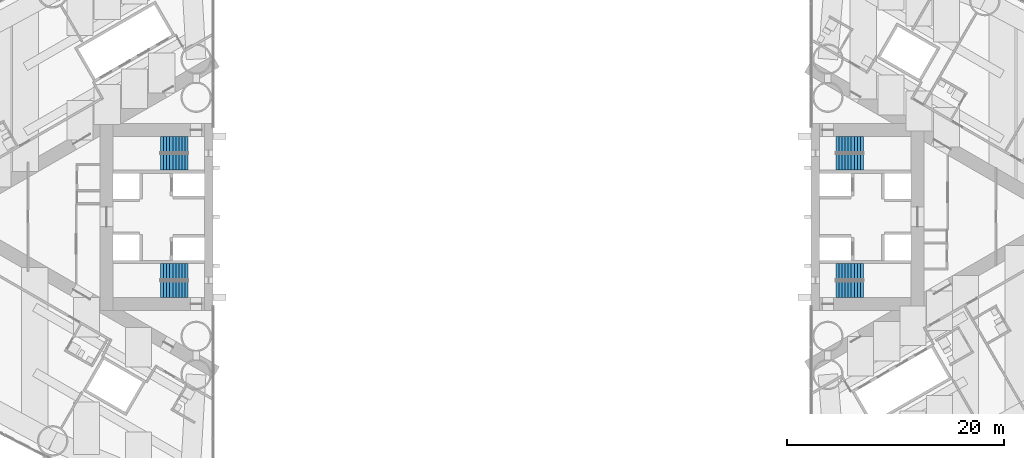
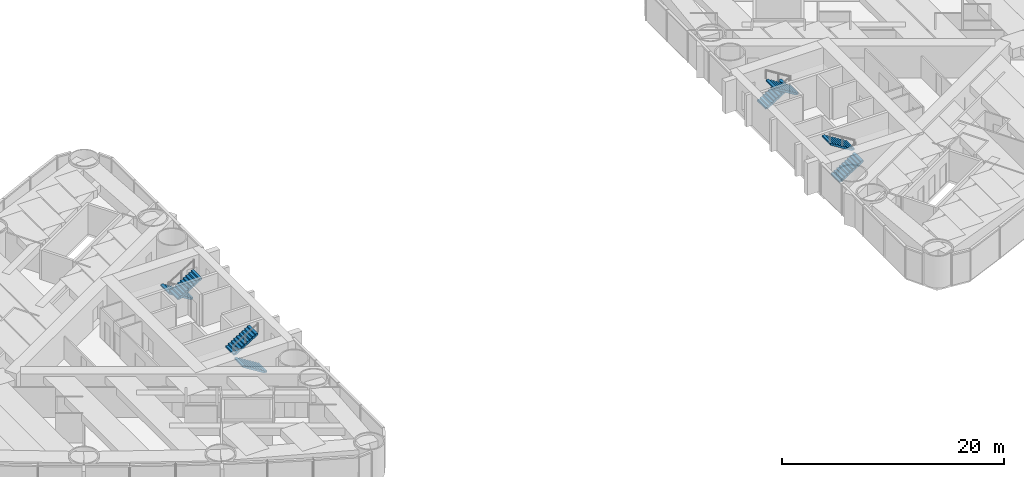
# One storey, part 16 of 18: 8 stair flights, 4 elements without a shape of their own.
"""IFC4 building model written with IfcOpenShell, lengths in metres."""

from ifc_helpers import new_model, si_unit, direction, frame, origin, place, context, subcontext, project, spatial, polyline, outline, extrude, material, type_object, element, aggregate, save


model = new_model("IFC4")

# Units and contexts
model_context = context("Model", 3, precision=1e-05, world=origin(), true_north=direction((0.0, 1.0)))
body_context = subcontext(model_context, "Body", "Model", "MODEL_VIEW")
ifc_project = project(units=[si_unit("LENGTHUNIT", "METRE"), si_unit("AREAUNIT", "SQUARE_METRE"), si_unit("VOLUMEUNIT", "CUBIC_METRE"), si_unit("PLANEANGLEUNIT", "RADIAN"), si_unit("MASSUNIT", "GRAM", prefix="KILO")], contexts=[model_context])

# Site, building, storey
site_placement = place(None, origin())
site = spatial("IfcSite", under=ifc_project, at=site_placement, CompositionType="ELEMENT")
building_placement = place(site_placement, origin())
building = spatial("IfcBuilding", under=site, at=building_placement, Name="Lancet Gate Hotel", CompositionType="ELEMENT")
storey_placement = place(building_placement, frame((0.0, 0.0, 56.5)))
storey = spatial("IfcBuildingStorey", under=building, at=storey_placement, Name="L14", CompositionType="ELEMENT", Elevation=56.5)

# Stair, stair flights
ifc_material_1 = material(Name="Exit stair 20 risers 1500")
stair_type = type_object("IfcStairType", Name="Exit stair 20 risers 1500", PredefinedType="HALF_TURN_STAIR", material=ifc_material_1)
stair_1_placement = place(storey_placement, origin())
stair_1 = element("IfcStair", 1, at=stair_1_placement, inside=storey, type_object=stair_type, Name="T1 stair 1 L14", PredefinedType="HALF_TURN_STAIR")
ifc_material_2 = material(Name="Stair flight 10 risers 175 rise 1500")
stair_flight_type = type_object("IfcStairFlightType", Name="Stair flight 10 risers 175 rise 1500", PredefinedType="STRAIGHT", material=ifc_material_2)
stair_flight_1_placement = place(storey_placement, frame((-29.800048828125, 6.64990234375, 0.0), z_axis=(0.0, 0.0, 1.0), x_axis=(-1.0, 0.0, 0.0)))
stair_flight_1 = element("IfcStairFlight", 2, at=stair_flight_1_placement, type_object=stair_flight_type, Name="ST1 flight 1", NumberOfRisers=10, NumberOfTreads=9, PredefinedType="STRAIGHT", RiserHeight=0.175, TreadLength=0.28, context=body_context, shape_type="SweptSolid", body=[
    extrude(outline(polyline([(0.0, 0.0), (0.0, 0.175048828125), (0.280029296875, 0.175048828125), (0.280029296875, 0.35009765625), (0.56005859375, 0.35009765625), (0.56005859375, 0.52490234375), (0.840087890625, 0.52490234375), (0.840087890625, 0.699951171875), (1.1201171875, 0.699951171875), (1.1201171875, 0.875), (1.39990234375, 0.875), (1.39990234375, 1.050048828125), (1.679931640625, 1.050048828125), (1.679931640625, 1.22509765625), (1.9599609375, 1.22509765625), (1.9599609375, 1.39990234375), (2.239990234375, 1.39990234375), (2.239990234375, 1.574951171875), (2.52001953125, 1.574951171875), (2.52001953125, 1.75), (2.52001953125, 1.398193359375), (0.28271484375, 0.0), (0.0, 0.0)])), frame((0.0, 0.75, 0.0), z_axis=(0.0, -1.0, 0.0), x_axis=(1.0, 0.0, 0.0)), (0.0, 0.0, 1.0), 1.5),
])
stair_flight_2_placement = place(storey_placement, frame((-32.320068359375, 5.050048828125, 1.75), z_axis=(0.0, 0.0, 1.0), x_axis=(1.0, 0.0, 0.0)))
stair_flight_2 = element("IfcStairFlight", 3, at=stair_flight_2_placement, type_object=stair_flight_type, Name="ST1 flight 2", NumberOfRisers=10, NumberOfTreads=9, PredefinedType="STRAIGHT", RiserHeight=0.175, TreadLength=0.28, context=body_context, shape_type="SweptSolid", body=[
    extrude(outline(polyline([(0.0, 0.0), (0.0, 0.175048828125), (0.280029296875, 0.175048828125), (0.280029296875, 0.35009765625), (0.56005859375, 0.35009765625), (0.56005859375, 0.52490234375), (0.840087890625, 0.52490234375), (0.840087890625, 0.699951171875), (1.1201171875, 0.699951171875), (1.1201171875, 0.875), (1.39990234375, 0.875), (1.39990234375, 1.050048828125), (1.679931640625, 1.050048828125), (1.679931640625, 1.22509765625), (1.9599609375, 1.22509765625), (1.9599609375, 1.39990234375), (2.239990234375, 1.39990234375), (2.239990234375, 1.574951171875), (2.52001953125, 1.574951171875), (2.52001953125, 1.75), (2.52001953125, 1.398193359375), (0.28271484375, 0.0), (0.0, 0.0)])), frame((0.0, 0.75, 0.0), z_axis=(0.0, -1.0, 0.0), x_axis=(1.0, 0.0, 0.0)), (0.0, 0.0, 1.0), 1.5),
])
aggregate(stair_1, [stair_flight_1, stair_flight_2])

stair_2_placement = place(storey_placement, origin())
stair_2 = element("IfcStair", 4, at=stair_2_placement, inside=storey, type_object=stair_type, Name="T1 stair 2 L14", PredefinedType="HALF_TURN_STAIR")
stair_flight_3_placement = place(storey_placement, frame((-29.800048828125, -6.64990234375, 0.0), z_axis=(0.0, 0.0, 1.0), x_axis=(-1.0, 0.0, 0.0)))
stair_flight_3 = element("IfcStairFlight", 5, at=stair_flight_3_placement, type_object=stair_flight_type, Name="ST2 flight 1", NumberOfRisers=10, NumberOfTreads=9, PredefinedType="STRAIGHT", RiserHeight=0.175, TreadLength=0.28, context=body_context, shape_type="SweptSolid", body=[
    extrude(outline(polyline([(0.0, 0.0), (0.0, 0.175048828125), (0.280029296875, 0.175048828125), (0.280029296875, 0.35009765625), (0.56005859375, 0.35009765625), (0.56005859375, 0.52490234375), (0.840087890625, 0.52490234375), (0.840087890625, 0.699951171875), (1.1201171875, 0.699951171875), (1.1201171875, 0.875), (1.39990234375, 0.875), (1.39990234375, 1.050048828125), (1.679931640625, 1.050048828125), (1.679931640625, 1.22509765625), (1.9599609375, 1.22509765625), (1.9599609375, 1.39990234375), (2.239990234375, 1.39990234375), (2.239990234375, 1.574951171875), (2.52001953125, 1.574951171875), (2.52001953125, 1.75), (2.52001953125, 1.398193359375), (0.28271484375, 0.0), (0.0, 0.0)])), frame((0.0, 0.75, 0.0), z_axis=(0.0, -1.0, 0.0), x_axis=(1.0, 0.0, 0.0)), (0.0, 0.0, 1.0), 1.5),
])
stair_flight_4_placement = place(storey_placement, frame((-32.320068359375, -5.050048828125, 1.75), z_axis=(0.0, 0.0, 1.0), x_axis=(1.0, 0.0, 0.0)))
stair_flight_4 = element("IfcStairFlight", 6, at=stair_flight_4_placement, type_object=stair_flight_type, Name="ST2 flight 2", NumberOfRisers=10, NumberOfTreads=9, PredefinedType="STRAIGHT", RiserHeight=0.175, TreadLength=0.28, context=body_context, shape_type="SweptSolid", body=[
    extrude(outline(polyline([(0.0, 0.0), (0.0, 0.175048828125), (0.280029296875, 0.175048828125), (0.280029296875, 0.35009765625), (0.56005859375, 0.35009765625), (0.56005859375, 0.52490234375), (0.840087890625, 0.52490234375), (0.840087890625, 0.699951171875), (1.1201171875, 0.699951171875), (1.1201171875, 0.875), (1.39990234375, 0.875), (1.39990234375, 1.050048828125), (1.679931640625, 1.050048828125), (1.679931640625, 1.22509765625), (1.9599609375, 1.22509765625), (1.9599609375, 1.39990234375), (2.239990234375, 1.39990234375), (2.239990234375, 1.574951171875), (2.52001953125, 1.574951171875), (2.52001953125, 1.75), (2.52001953125, 1.398193359375), (0.28271484375, 0.0), (0.0, 0.0)])), frame((0.0, 0.75, 0.0), z_axis=(0.0, -1.0, 0.0), x_axis=(1.0, 0.0, 0.0)), (0.0, 0.0, 1.0), 1.5),
])
aggregate(stair_2, [stair_flight_3, stair_flight_4])

stair_3_placement = place(storey_placement, origin())
stair_3 = element("IfcStair", 7, at=stair_3_placement, inside=storey, type_object=stair_type, Name="T2 stair 1 L14", PredefinedType="HALF_TURN_STAIR")
stair_flight_5_placement = place(storey_placement, frame((29.800048828125, -6.64990234375, 0.0), z_axis=(0.0, 0.0, 1.0), x_axis=(1.0, 0.0, 0.0)))
stair_flight_5 = element("IfcStairFlight", 8, at=stair_flight_5_placement, type_object=stair_flight_type, Name="ST3 flight 1", NumberOfRisers=10, NumberOfTreads=9, PredefinedType="STRAIGHT", RiserHeight=0.175, TreadLength=0.28, context=body_context, shape_type="SweptSolid", body=[
    extrude(outline(polyline([(0.0, 0.0), (0.0, 0.175048828125), (0.280029296875, 0.175048828125), (0.280029296875, 0.35009765625), (0.56005859375, 0.35009765625), (0.56005859375, 0.52490234375), (0.840087890625, 0.52490234375), (0.840087890625, 0.699951171875), (1.1201171875, 0.699951171875), (1.1201171875, 0.875), (1.39990234375, 0.875), (1.39990234375, 1.050048828125), (1.679931640625, 1.050048828125), (1.679931640625, 1.22509765625), (1.9599609375, 1.22509765625), (1.9599609375, 1.39990234375), (2.239990234375, 1.39990234375), (2.239990234375, 1.574951171875), (2.52001953125, 1.574951171875), (2.52001953125, 1.75), (2.52001953125, 1.398193359375), (0.28271484375, 0.0), (0.0, 0.0)])), frame((0.0, 0.75, 0.0), z_axis=(0.0, -1.0, 0.0), x_axis=(1.0, 0.0, 0.0)), (0.0, 0.0, 1.0), 1.5),
])
stair_flight_6_placement = place(storey_placement, frame((32.320068359375, -5.050048828125, 1.75), z_axis=(0.0, 0.0, 1.0), x_axis=(-1.0, 0.0, 0.0)))
stair_flight_6 = element("IfcStairFlight", 9, at=stair_flight_6_placement, type_object=stair_flight_type, Name="ST3 flight 2", NumberOfRisers=10, NumberOfTreads=9, PredefinedType="STRAIGHT", RiserHeight=0.175, TreadLength=0.28, context=body_context, shape_type="SweptSolid", body=[
    extrude(outline(polyline([(0.0, 0.0), (0.0, 0.175048828125), (0.280029296875, 0.175048828125), (0.280029296875, 0.35009765625), (0.56005859375, 0.35009765625), (0.56005859375, 0.52490234375), (0.840087890625, 0.52490234375), (0.840087890625, 0.699951171875), (1.1201171875, 0.699951171875), (1.1201171875, 0.875), (1.39990234375, 0.875), (1.39990234375, 1.050048828125), (1.679931640625, 1.050048828125), (1.679931640625, 1.22509765625), (1.9599609375, 1.22509765625), (1.9599609375, 1.39990234375), (2.239990234375, 1.39990234375), (2.239990234375, 1.574951171875), (2.52001953125, 1.574951171875), (2.52001953125, 1.75), (2.52001953125, 1.398193359375), (0.28271484375, 0.0), (0.0, 0.0)])), frame((0.0, 0.75, 0.0), z_axis=(0.0, -1.0, 0.0), x_axis=(1.0, 0.0, 0.0)), (0.0, 0.0, 1.0), 1.5),
])
aggregate(stair_3, [stair_flight_5, stair_flight_6])

stair_4_placement = place(storey_placement, origin())
stair_4 = element("IfcStair", 10, at=stair_4_placement, inside=storey, type_object=stair_type, Name="T2 stair 2 L14", PredefinedType="HALF_TURN_STAIR")
stair_flight_7_placement = place(storey_placement, frame((29.800048828125, 6.64990234375, 0.0), z_axis=(0.0, 0.0, 1.0), x_axis=(1.0, 0.0, 0.0)))
stair_flight_7 = element("IfcStairFlight", 11, at=stair_flight_7_placement, type_object=stair_flight_type, Name="ST4 flight 1", NumberOfRisers=10, NumberOfTreads=9, PredefinedType="STRAIGHT", RiserHeight=0.175, TreadLength=0.28, context=body_context, shape_type="SweptSolid", body=[
    extrude(outline(polyline([(0.0, 0.0), (0.0, 0.175048828125), (0.280029296875, 0.175048828125), (0.280029296875, 0.35009765625), (0.56005859375, 0.35009765625), (0.56005859375, 0.52490234375), (0.840087890625, 0.52490234375), (0.840087890625, 0.699951171875), (1.1201171875, 0.699951171875), (1.1201171875, 0.875), (1.39990234375, 0.875), (1.39990234375, 1.050048828125), (1.679931640625, 1.050048828125), (1.679931640625, 1.22509765625), (1.9599609375, 1.22509765625), (1.9599609375, 1.39990234375), (2.239990234375, 1.39990234375), (2.239990234375, 1.574951171875), (2.52001953125, 1.574951171875), (2.52001953125, 1.75), (2.52001953125, 1.398193359375), (0.28271484375, 0.0), (0.0, 0.0)])), frame((0.0, 0.75, 0.0), z_axis=(0.0, -1.0, 0.0), x_axis=(1.0, 0.0, 0.0)), (0.0, 0.0, 1.0), 1.5),
])
stair_flight_8_placement = place(storey_placement, frame((32.320068359375, 5.050048828125, 1.75), z_axis=(0.0, 0.0, 1.0), x_axis=(-1.0, 0.0, 0.0)))
stair_flight_8 = element("IfcStairFlight", 12, at=stair_flight_8_placement, type_object=stair_flight_type, Name="ST4 flight 2", NumberOfRisers=10, NumberOfTreads=9, PredefinedType="STRAIGHT", RiserHeight=0.175, TreadLength=0.28, context=body_context, shape_type="SweptSolid", body=[
    extrude(outline(polyline([(0.0, 0.0), (0.0, 0.175048828125), (0.280029296875, 0.175048828125), (0.280029296875, 0.35009765625), (0.56005859375, 0.35009765625), (0.56005859375, 0.52490234375), (0.840087890625, 0.52490234375), (0.840087890625, 0.699951171875), (1.1201171875, 0.699951171875), (1.1201171875, 0.875), (1.39990234375, 0.875), (1.39990234375, 1.050048828125), (1.679931640625, 1.050048828125), (1.679931640625, 1.22509765625), (1.9599609375, 1.22509765625), (1.9599609375, 1.39990234375), (2.239990234375, 1.39990234375), (2.239990234375, 1.574951171875), (2.52001953125, 1.574951171875), (2.52001953125, 1.75), (2.52001953125, 1.398193359375), (0.28271484375, 0.0), (0.0, 0.0)])), frame((0.0, 0.75, 0.0), z_axis=(0.0, -1.0, 0.0), x_axis=(1.0, 0.0, 0.0)), (0.0, 0.0, 1.0), 1.5),
])
aggregate(stair_4, [stair_flight_7, stair_flight_8])

save(model, "model.ifc")
